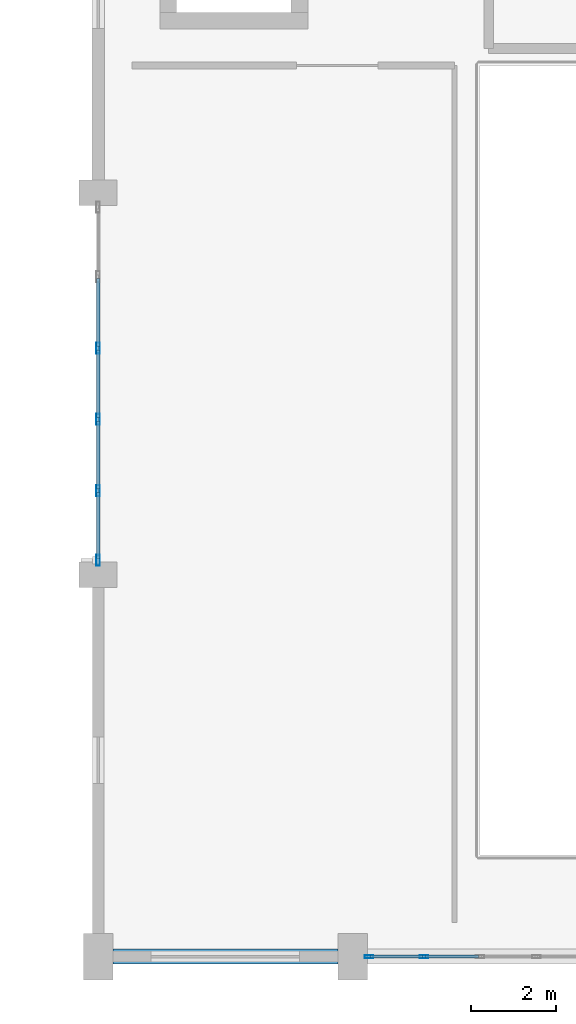
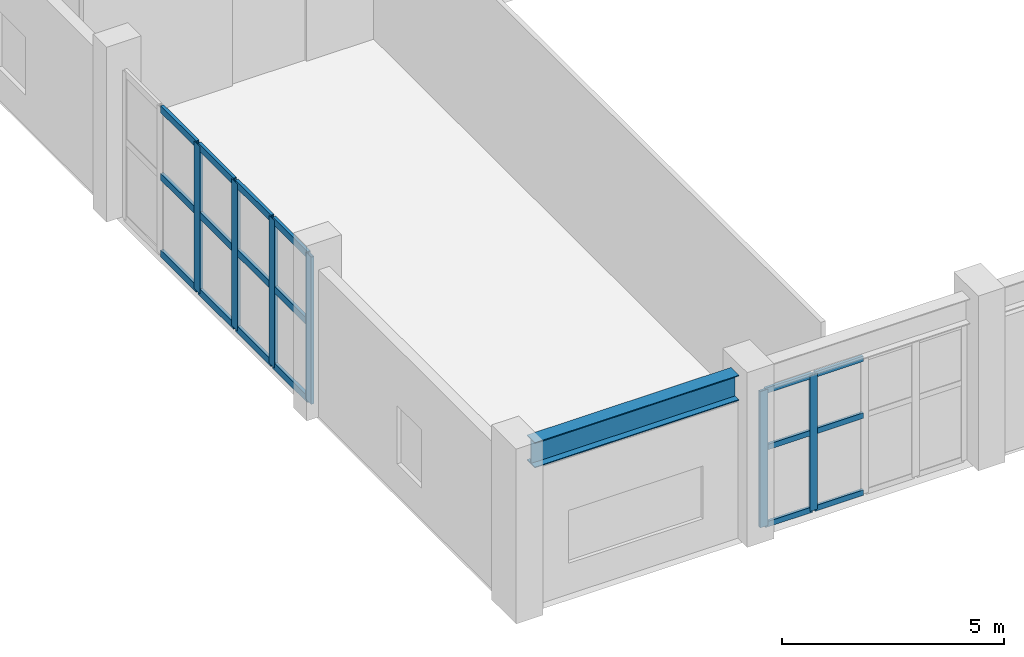
# One storey, part 2 of 62: 24 members, 1 beam, 2 elements without a shape of their own.
"""IFC4 building model written with IfcOpenShell, lengths in metres."""

from ifc_helpers import new_model, si_unit, direction, frame, origin, origin_2d, place, context, subcontext, project, spatial, hollow_rectangle, i_section, extrude, material, layer, layer_set, material_profile, profile_set, type_object, element, aggregate, save


model = new_model("IFC4")

# Units and contexts
model_context = context("Model", 3, precision=1e-05, world=origin(), true_north=direction((0.0, 1.0)))
body_context = subcontext(model_context, "Body", "Model", "MODEL_VIEW")
ifc_project = project(units=[si_unit("LENGTHUNIT", "METRE"), si_unit("AREAUNIT", "SQUARE_METRE"), si_unit("VOLUMEUNIT", "CUBIC_METRE"), si_unit("PLANEANGLEUNIT", "RADIAN"), si_unit("MASSUNIT", "GRAM", prefix="KILO")], contexts=[model_context])

# Site, building, storey
site_placement = place(None, origin())
site = spatial("IfcSite", under=ifc_project, at=site_placement, CompositionType="ELEMENT")
building_placement = place(site_placement, origin())
building = spatial("IfcBuilding", under=site, at=building_placement, Name="Vaelkrest Opera House", CompositionType="ELEMENT")
storey_placement = place(building_placement, frame((0.0, 0.0, 19.800048828125)))
storey = spatial("IfcBuildingStorey", under=building, at=storey_placement, Name="L04", CompositionType="ELEMENT", Elevation=19.800048828125)

# Curtain wall, members
ifc_material_1 = material(Name="Dark bronze anodized aluminium", Category="aluminium")
ifc_layer_1 = layer(ifc_material_1, 0.18994140625)
ifc_layer_set_1 = layer_set([ifc_layer_1], Name="Dark bronze anodized aluminium")
curtain_wall_type_1 = type_object("IfcCurtainWallType", Name="CW02", PredefinedType="NOTDEFINED", material=ifc_layer_set_1)
curtain_wall_1_placement = place(storey_placement, origin())
curtain_wall_1 = element("IfcCurtainWall", 1, at=curtain_wall_1_placement, inside=storey, type_object=curtain_wall_type_1, Name="Curtain wall CW-L04-059", PredefinedType="NOTDEFINED")
ifc_material_profile_1 = material_profile(ifc_material_1, hollow_rectangle(XDim=0.070068359375, YDim=0.199951171875, WallThickness=0.004150390625, at=origin_2d()), Name="CWM70X200")
ifc_profile_set_1 = profile_set([ifc_material_profile_1], Name="Dark bronze anodized aluminium")
member_type_1 = type_object("IfcMemberType", Name="CWM02", PredefinedType="MULLION", material=ifc_profile_set_1)
member_1_placement = place(storey_placement, frame((-22.325927734375, -55.800048828125, 0.0), z_axis=(0.0, 0.0, 1.0), x_axis=(0.0, -1.0, 0.0)))
member_1 = element("IfcMember", 2, at=member_1_placement, type_object=member_type_1, Name="CW02 mullion 4", PredefinedType="MULLION", context=body_context, shape_type="SweptSolid", body=[
    extrude(hollow_rectangle(XDim=0.070068359375, YDim=0.199951171875, WallThickness=0.004150390625, at=origin_2d()), origin(), (0.0, 0.0, 1.0), 3.744873046875),
])
member_2_placement = place(storey_placement, frame((-23.616943359375, -55.800048828125, 0.0), z_axis=(0.0, 0.0, 1.0), x_axis=(0.0, -1.0, 0.0)))
member_2 = element("IfcMember", 3, at=member_2_placement, type_object=member_type_1, Name="CW02 mullion 5", PredefinedType="MULLION", context=body_context, shape_type="SweptSolid", body=[
    extrude(hollow_rectangle(XDim=0.070068359375, YDim=0.199951171875, WallThickness=0.004150390625, at=origin_2d()), origin(), (0.0, 0.0, 1.0), 3.744873046875),
])

ifc_layer_2 = layer(ifc_material_1, 0.2099609375)
ifc_layer_set_2 = layer_set([ifc_layer_2], Name="Dark bronze anodized aluminium")
curtain_wall_type_2 = type_object("IfcCurtainWallType", Name="CW04", PredefinedType="NOTDEFINED", material=ifc_layer_set_2)
curtain_wall_2_placement = place(storey_placement, origin())
curtain_wall_2 = element("IfcCurtainWall", 4, at=curtain_wall_2_placement, inside=storey, type_object=curtain_wall_type_2, Name="Curtain wall CW-L04-060", PredefinedType="NOTDEFINED")
ifc_material_profile_2 = material_profile(ifc_material_1, hollow_rectangle(XDim=0.080078125, YDim=0.260009765625, WallThickness=0.0048828125, at=origin_2d()), Name="CWM80X260")
ifc_profile_set_2 = profile_set([ifc_material_profile_2], Name="Dark bronze anodized aluminium")
member_type_2 = type_object("IfcMemberType", Name="CWM04", PredefinedType="MULLION", material=ifc_profile_set_2)
member_3_placement = place(storey_placement, frame((-30.0, -46.4619140625, 0.0), z_axis=(0.0, 0.0, 1.0), x_axis=(-1.0, 0.0, 0.0)))
member_3 = element("IfcMember", 5, at=member_3_placement, type_object=member_type_2, Name="CW04 mullion 1", PredefinedType="MULLION", context=body_context, shape_type="SweptSolid", body=[
    extrude(hollow_rectangle(XDim=0.080078125, YDim=0.260009765625, WallThickness=0.0048828125, at=origin_2d()), origin(), (0.0, 0.0, 1.0), 4.04296875),
])
member_4_placement = place(storey_placement, frame((-30.0, -44.8212890625, 0.0), z_axis=(0.0, 0.0, 1.0), x_axis=(-1.0, 0.0, 0.0)))
member_4 = element("IfcMember", 6, at=member_4_placement, type_object=member_type_2, Name="CW04 mullion 2", PredefinedType="MULLION", context=body_context, shape_type="SweptSolid", body=[
    extrude(hollow_rectangle(XDim=0.080078125, YDim=0.260009765625, WallThickness=0.0048828125, at=origin_2d()), origin(), (0.0, 0.0, 1.0), 4.04296875),
])
member_5_placement = place(storey_placement, frame((-30.0, -43.140380859375, 0.0), z_axis=(0.0, 0.0, 1.0), x_axis=(-1.0, 0.0, 0.0)))
member_5 = element("IfcMember", 7, at=member_5_placement, type_object=member_type_2, Name="CW04 mullion 3", PredefinedType="MULLION", context=body_context, shape_type="SweptSolid", body=[
    extrude(hollow_rectangle(XDim=0.080078125, YDim=0.260009765625, WallThickness=0.0048828125, at=origin_2d()), origin(), (0.0, 0.0, 1.0), 4.04296875),
])
member_6_placement = place(storey_placement, frame((-30.0, -41.459716796875, 0.0), z_axis=(0.0, 0.0, 1.0), x_axis=(-1.0, 0.0, 0.0)))
member_6 = element("IfcMember", 8, at=member_6_placement, type_object=member_type_2, Name="CW04 mullion 4", PredefinedType="MULLION", context=body_context, shape_type="SweptSolid", body=[
    extrude(hollow_rectangle(XDim=0.080078125, YDim=0.260009765625, WallThickness=0.0048828125, at=origin_2d()), origin(), (0.0, 0.0, 1.0), 4.04296875),
])

# Member
ifc_material_profile_3 = material_profile(ifc_material_1, hollow_rectangle(XDim=0.070068359375, YDim=0.14990234375, WallThickness=0.004150390625, at=origin_2d()), Name="CWT70X150")
ifc_profile_set_3 = profile_set([ifc_material_profile_3], Name="Dark bronze anodized aluminium")
member_type_3 = type_object("IfcMemberType", Name="CWT02", PredefinedType="USERDEFINED", material=ifc_profile_set_3)
member_7_placement = place(storey_placement, frame((-21.034912109375, -55.800048828125, 0.034912109375), z_axis=(-1.0, 0.0, 0.0), x_axis=(0.0, -1.0, 0.0)))
member_7 = element("IfcMember", 9, at=member_7_placement, type_object=member_type_3, Name="CW02 transom 3.1", ObjectType="TRANSOM", PredefinedType="USERDEFINED", context=body_context, shape_type="SweptSolid", body=[
    extrude(hollow_rectangle(XDim=0.070068359375, YDim=0.14990234375, WallThickness=0.004150390625, at=origin_2d()), origin(), (0.0, 0.0, 1.0), 1.256103515625),
])

member_8_placement = place(storey_placement, frame((-21.034912109375, -55.800048828125, 2.14990234375), z_axis=(-1.0, 0.0, 0.0), x_axis=(0.0, -1.0, 0.0)))
member_8 = element("IfcMember", 10, at=member_8_placement, type_object=member_type_3, Name="CW02 transom 3.2", ObjectType="TRANSOM", PredefinedType="USERDEFINED", context=body_context, shape_type="SweptSolid", body=[
    extrude(hollow_rectangle(XDim=0.070068359375, YDim=0.14990234375, WallThickness=0.004150390625, at=origin_2d()), origin(), (0.0, 0.0, 1.0), 1.256103515625),
])

member_9_placement = place(storey_placement, frame((-21.034912109375, -55.800048828125, 3.7099609375), z_axis=(-1.0, 0.0, 0.0), x_axis=(0.0, -1.0, 0.0)))
member_9 = element("IfcMember", 11, at=member_9_placement, type_object=member_type_3, Name="CW02 transom 3.3", ObjectType="TRANSOM", PredefinedType="USERDEFINED", context=body_context, shape_type="SweptSolid", body=[
    extrude(hollow_rectangle(XDim=0.070068359375, YDim=0.14990234375, WallThickness=0.004150390625, at=origin_2d()), origin(), (0.0, 0.0, 1.0), 1.256103515625),
])

member_10_placement = place(storey_placement, frame((-22.361083984375, -55.800048828125, 0.034912109375), z_axis=(-1.0, 0.0, 0.0), x_axis=(0.0, -1.0, 0.0)))
member_10 = element("IfcMember", 12, at=member_10_placement, type_object=member_type_3, Name="CW02 transom 4.1", ObjectType="TRANSOM", PredefinedType="USERDEFINED", context=body_context, shape_type="SweptSolid", body=[
    extrude(hollow_rectangle(XDim=0.070068359375, YDim=0.14990234375, WallThickness=0.004150390625, at=origin_2d()), origin(), (0.0, 0.0, 1.0), 1.220947265625),
])

member_11_placement = place(storey_placement, frame((-22.361083984375, -55.800048828125, 2.14990234375), z_axis=(-1.0, 0.0, 0.0), x_axis=(0.0, -1.0, 0.0)))
member_11 = element("IfcMember", 13, at=member_11_placement, type_object=member_type_3, Name="CW02 transom 4.2", ObjectType="TRANSOM", PredefinedType="USERDEFINED", context=body_context, shape_type="SweptSolid", body=[
    extrude(hollow_rectangle(XDim=0.070068359375, YDim=0.14990234375, WallThickness=0.004150390625, at=origin_2d()), origin(), (0.0, 0.0, 1.0), 1.220947265625),
])

member_12_placement = place(storey_placement, frame((-22.361083984375, -55.800048828125, 3.7099609375), z_axis=(-1.0, 0.0, 0.0), x_axis=(0.0, -1.0, 0.0)))
member_12 = element("IfcMember", 14, at=member_12_placement, type_object=member_type_3, Name="CW02 transom 4.3", ObjectType="TRANSOM", PredefinedType="USERDEFINED", context=body_context, shape_type="SweptSolid", body=[
    extrude(hollow_rectangle(XDim=0.070068359375, YDim=0.14990234375, WallThickness=0.004150390625, at=origin_2d()), origin(), (0.0, 0.0, 1.0), 1.220947265625),
])

aggregate(curtain_wall_1, [member_1, member_2, member_7, member_8, member_9, member_10, member_11, member_12])

ifc_material_profile_4 = material_profile(ifc_material_1, hollow_rectangle(XDim=0.080078125, YDim=0.18994140625, WallThickness=0.0048828125, at=origin_2d()), Name="CWT80X190")
ifc_profile_set_4 = profile_set([ifc_material_profile_4], Name="Dark bronze anodized aluminium")
member_type_4 = type_object("IfcMemberType", Name="CWT04", PredefinedType="USERDEFINED", material=ifc_profile_set_4)
member_13_placement = place(storey_placement, frame((-30.0, -46.422119140625, 0.0400390625), z_axis=(0.0, 1.0, 0.0), x_axis=(-1.0, 0.0, 0.0)))
member_13 = element("IfcMember", 15, at=member_13_placement, type_object=member_type_4, Name="CW04 transom 1.1", ObjectType="TRANSOM", PredefinedType="USERDEFINED", context=body_context, shape_type="SweptSolid", body=[
    extrude(hollow_rectangle(XDim=0.080078125, YDim=0.18994140625, WallThickness=0.0048828125, at=origin_2d()), origin(), (0.0, 0.0, 1.0), 1.56103515625),
])

member_14_placement = place(storey_placement, frame((-30.0, -46.422119140625, 2.14990234375), z_axis=(0.0, 1.0, 0.0), x_axis=(-1.0, 0.0, 0.0)))
member_14 = element("IfcMember", 16, at=member_14_placement, type_object=member_type_4, Name="CW04 transom 1.2", ObjectType="TRANSOM", PredefinedType="USERDEFINED", context=body_context, shape_type="SweptSolid", body=[
    extrude(hollow_rectangle(XDim=0.080078125, YDim=0.18994140625, WallThickness=0.0048828125, at=origin_2d()), origin(), (0.0, 0.0, 1.0), 1.56103515625),
])

member_15_placement = place(storey_placement, frame((-30.0, -46.422119140625, 4.0029296875), z_axis=(0.0, 1.0, 0.0), x_axis=(-1.0, 0.0, 0.0)))
member_15 = element("IfcMember", 17, at=member_15_placement, type_object=member_type_4, Name="CW04 transom 1.3", ObjectType="TRANSOM", PredefinedType="USERDEFINED", context=body_context, shape_type="SweptSolid", body=[
    extrude(hollow_rectangle(XDim=0.080078125, YDim=0.18994140625, WallThickness=0.0048828125, at=origin_2d()), origin(), (0.0, 0.0, 1.0), 1.56103515625),
])

member_16_placement = place(storey_placement, frame((-30.0, -44.78125, 0.0400390625), z_axis=(0.0, 1.0, 0.0), x_axis=(-1.0, 0.0, 0.0)))
member_16 = element("IfcMember", 18, at=member_16_placement, type_object=member_type_4, Name="CW04 transom 2.1", ObjectType="TRANSOM", PredefinedType="USERDEFINED", context=body_context, shape_type="SweptSolid", body=[
    extrude(hollow_rectangle(XDim=0.080078125, YDim=0.18994140625, WallThickness=0.0048828125, at=origin_2d()), origin(), (0.0, 0.0, 1.0), 1.600830078125),
])

member_17_placement = place(storey_placement, frame((-30.0, -44.78125, 2.14990234375), z_axis=(0.0, 1.0, 0.0), x_axis=(-1.0, 0.0, 0.0)))
member_17 = element("IfcMember", 19, at=member_17_placement, type_object=member_type_4, Name="CW04 transom 2.2", ObjectType="TRANSOM", PredefinedType="USERDEFINED", context=body_context, shape_type="SweptSolid", body=[
    extrude(hollow_rectangle(XDim=0.080078125, YDim=0.18994140625, WallThickness=0.0048828125, at=origin_2d()), origin(), (0.0, 0.0, 1.0), 1.600830078125),
])

member_18_placement = place(storey_placement, frame((-30.0, -44.78125, 4.0029296875), z_axis=(0.0, 1.0, 0.0), x_axis=(-1.0, 0.0, 0.0)))
member_18 = element("IfcMember", 20, at=member_18_placement, type_object=member_type_4, Name="CW04 transom 2.3", ObjectType="TRANSOM", PredefinedType="USERDEFINED", context=body_context, shape_type="SweptSolid", body=[
    extrude(hollow_rectangle(XDim=0.080078125, YDim=0.18994140625, WallThickness=0.0048828125, at=origin_2d()), origin(), (0.0, 0.0, 1.0), 1.600830078125),
])

member_19_placement = place(storey_placement, frame((-30.0, -43.100341796875, 0.0400390625), z_axis=(0.0, 1.0, 0.0), x_axis=(-1.0, 0.0, 0.0)))
member_19 = element("IfcMember", 21, at=member_19_placement, type_object=member_type_4, Name="CW04 transom 3.1", ObjectType="TRANSOM", PredefinedType="USERDEFINED", context=body_context, shape_type="SweptSolid", body=[
    extrude(hollow_rectangle(XDim=0.080078125, YDim=0.18994140625, WallThickness=0.0048828125, at=origin_2d()), origin(), (0.0, 0.0, 1.0), 1.600830078125),
])

member_20_placement = place(storey_placement, frame((-30.0, -43.100341796875, 2.14990234375), z_axis=(0.0, 1.0, 0.0), x_axis=(-1.0, 0.0, 0.0)))
member_20 = element("IfcMember", 22, at=member_20_placement, type_object=member_type_4, Name="CW04 transom 3.2", ObjectType="TRANSOM", PredefinedType="USERDEFINED", context=body_context, shape_type="SweptSolid", body=[
    extrude(hollow_rectangle(XDim=0.080078125, YDim=0.18994140625, WallThickness=0.0048828125, at=origin_2d()), origin(), (0.0, 0.0, 1.0), 1.600830078125),
])

member_21_placement = place(storey_placement, frame((-30.0, -43.100341796875, 4.0029296875), z_axis=(0.0, 1.0, 0.0), x_axis=(-1.0, 0.0, 0.0)))
member_21 = element("IfcMember", 23, at=member_21_placement, type_object=member_type_4, Name="CW04 transom 3.3", ObjectType="TRANSOM", PredefinedType="USERDEFINED", context=body_context, shape_type="SweptSolid", body=[
    extrude(hollow_rectangle(XDim=0.080078125, YDim=0.18994140625, WallThickness=0.0048828125, at=origin_2d()), origin(), (0.0, 0.0, 1.0), 1.600830078125),
])

member_22_placement = place(storey_placement, frame((-30.0, -41.419677734375, 0.0400390625), z_axis=(0.0, 1.0, 0.0), x_axis=(-1.0, 0.0, 0.0)))
member_22 = element("IfcMember", 24, at=member_22_placement, type_object=member_type_4, Name="CW04 transom 4.1", ObjectType="TRANSOM", PredefinedType="USERDEFINED", context=body_context, shape_type="SweptSolid", body=[
    extrude(hollow_rectangle(XDim=0.080078125, YDim=0.18994140625, WallThickness=0.0048828125, at=origin_2d()), origin(), (0.0, 0.0, 1.0), 1.600830078125),
])

member_23_placement = place(storey_placement, frame((-30.0, -41.419677734375, 2.14990234375), z_axis=(0.0, 1.0, 0.0), x_axis=(-1.0, 0.0, 0.0)))
member_23 = element("IfcMember", 25, at=member_23_placement, type_object=member_type_4, Name="CW04 transom 4.2", ObjectType="TRANSOM", PredefinedType="USERDEFINED", context=body_context, shape_type="SweptSolid", body=[
    extrude(hollow_rectangle(XDim=0.080078125, YDim=0.18994140625, WallThickness=0.0048828125, at=origin_2d()), origin(), (0.0, 0.0, 1.0), 1.600830078125),
])

member_24_placement = place(storey_placement, frame((-30.0, -41.419677734375, 4.0029296875), z_axis=(0.0, 1.0, 0.0), x_axis=(-1.0, 0.0, 0.0)))
member_24 = element("IfcMember", 26, at=member_24_placement, type_object=member_type_4, Name="CW04 transom 4.3", ObjectType="TRANSOM", PredefinedType="USERDEFINED", context=body_context, shape_type="SweptSolid", body=[
    extrude(hollow_rectangle(XDim=0.080078125, YDim=0.18994140625, WallThickness=0.0048828125, at=origin_2d()), origin(), (0.0, 0.0, 1.0), 1.600830078125),
])

aggregate(curtain_wall_2, [member_3, member_4, member_5, member_6, member_13, member_14, member_15, member_16, member_17, member_18, member_19, member_20, member_21, member_22, member_23, member_24])

# Beam
ifc_material_2 = material(Name="Steel A992 Gr50", Category="steel")
ifc_material_profile_5 = material_profile(ifc_material_2, i_section(OverallWidth=0.35498046875, OverallDepth=0.695068359375, WebThickness=0.015380859375, FlangeThickness=0.02490234375, at=origin_2d()), Name="W27X146")
ifc_profile_set_5 = profile_set([ifc_material_profile_5], Name="Steel A992 Gr50")
beam_type = type_object("IfcBeamType", Name="SP02", PredefinedType="SPANDREL", material=ifc_profile_set_5)
beam_placement = place(storey_placement, frame((-29.64990234375, -55.800048828125, 4.157470703125), z_axis=(1.0, 0.0, 0.0), x_axis=(0.0, 1.0, 0.0)))
element("IfcBeam", 27, at=beam_placement, inside=storey, type_object=beam_type, Name="Beam BM-V1-L04-0529", PredefinedType="SPANDREL", context=body_context, shape_type="SweptSolid", body=[
    extrude(i_section(OverallWidth=0.35498046875, OverallDepth=0.695068359375, WebThickness=0.015380859375, FlangeThickness=0.02490234375, at=origin_2d()), origin(), (0.0, 0.0, 1.0), 5.2998046875),
])

save(model, "model.ifc")
